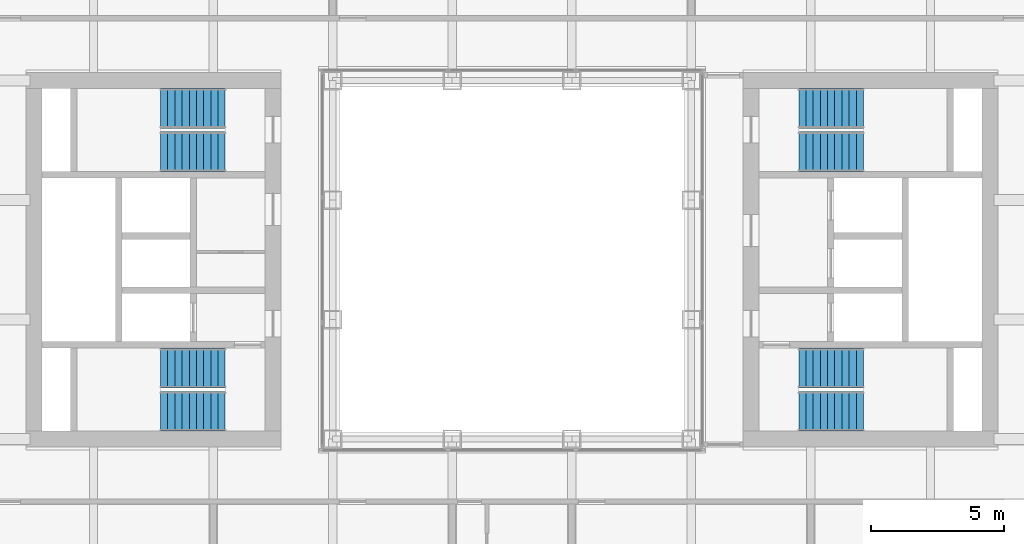
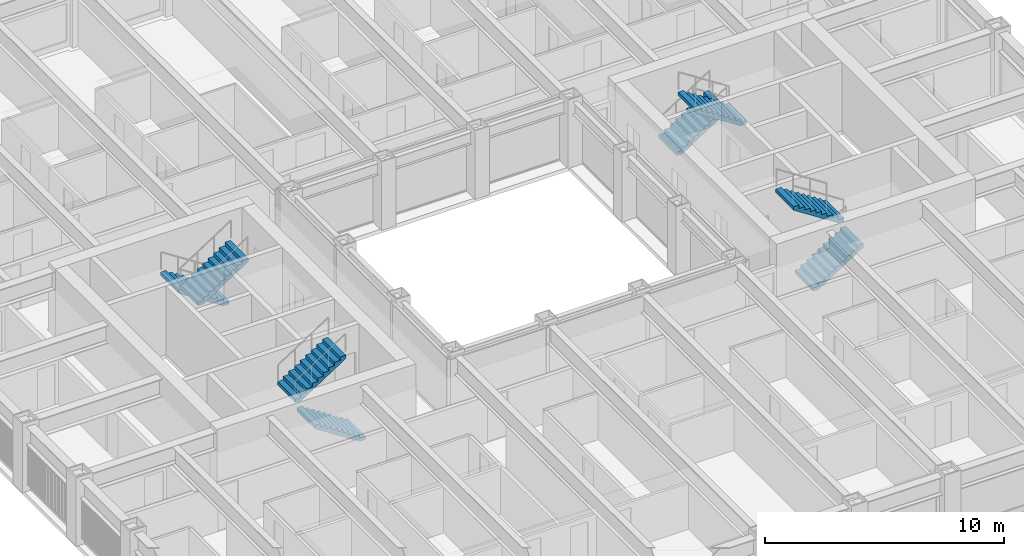
# One storey, part 16 of 21: 8 stair flights, 4 elements without a shape of their own.
"""IFC4 building model written with IfcOpenShell, lengths in metres."""

from ifc_helpers import new_model, si_unit, direction, frame, origin, place, context, subcontext, project, spatial, polyline, outline, extrude, material, type_object, element, aggregate, save


model = new_model("IFC4")

# Units and contexts
model_context = context("Model", 3, precision=1e-05, world=origin(), true_north=direction((0.0, 1.0)))
body_context = subcontext(model_context, "Body", "Model", "MODEL_VIEW")
ifc_project = project(units=[si_unit("LENGTHUNIT", "METRE"), si_unit("AREAUNIT", "SQUARE_METRE"), si_unit("VOLUMEUNIT", "CUBIC_METRE"), si_unit("PLANEANGLEUNIT", "RADIAN"), si_unit("MASSUNIT", "GRAM", prefix="KILO")], contexts=[model_context])

# Site, building, storey
site_placement = place(None, origin())
site = spatial("IfcSite", under=ifc_project, at=site_placement, CompositionType="ELEMENT")
building_placement = place(site_placement, origin())
building = spatial("IfcBuilding", under=site, at=building_placement, Name="Msasa Ring Tower", CompositionType="ELEMENT")
storey_placement = place(building_placement, frame((0.0, 0.0, 72.0)))
storey = spatial("IfcBuildingStorey", under=building, at=storey_placement, Name="L18", CompositionType="ELEMENT", Elevation=72.0)

# Stair, stair flights
ifc_material_1 = material(Name="Concrete C40/50", Category="concrete")
stair_type = type_object("IfcStairType", Name="STC CORE STAIR 20 RISERS 175", PredefinedType="HALF_TURN_STAIR", material=ifc_material_1)
stair_1_placement = place(storey_placement, origin())
stair_1 = element("IfcStair", 1, at=stair_1_placement, inside=storey, type_object=stair_type, Name="Core stair SEA L18", PredefinedType="HALF_TURN_STAIR")
ifc_material_2 = material(Name="Concrete C40/50", Category="concrete")
stair_flight_type = type_object("IfcStairFlightType", Name="ST12 CORE STAIR FLIGHT 1500 10 RISERS 175", PredefinedType="STRAIGHT", material=ifc_material_2)
stair_flight_1_placement = place(storey_placement, frame((10.800048828125, -5.699951171875, 0.0), z_axis=(0.0, 0.0, 1.0), x_axis=(1.0, 0.0, 0.0)))
stair_flight_1 = element("IfcStairFlight", 2, at=stair_flight_1_placement, type_object=stair_flight_type, Name="SEA flight 1", NumberOfRisers=10, NumberOfTreads=9, PredefinedType="STRAIGHT", RiserHeight=0.175, TreadLength=0.27, context=body_context, shape_type="SweptSolid", body=[
    extrude(outline(polyline([(0.0, 0.0), (0.0, 0.175048828125), (0.27001953125, 0.175048828125), (0.27001953125, 0.35009765625), (0.5400390625, 0.35009765625), (0.5400390625, 0.52490234375), (0.81005859375, 0.52490234375), (0.81005859375, 0.699951171875), (1.080078125, 0.699951171875), (1.080078125, 0.875), (1.35009765625, 0.875), (1.35009765625, 1.050048828125), (1.6201171875, 1.050048828125), (1.6201171875, 1.22509765625), (1.889892578125, 1.22509765625), (1.889892578125, 1.39990234375), (2.159912109375, 1.39990234375), (2.159912109375, 1.574951171875), (2.429931640625, 1.574951171875), (2.429931640625, 1.75), (2.429931640625, 1.396484375), (0.275634765625, 0.0), (0.0, 0.0)])), frame((0.0, 0.75, 0.0), z_axis=(0.0, -1.0, 0.0), x_axis=(1.0, 0.0, 0.0)), (0.0, 0.0, 1.0), 1.5),
])
stair_flight_2_placement = place(storey_placement, frame((13.22998046875, -4.074951171875, 1.75), z_axis=(0.0, 0.0, 1.0), x_axis=(-1.0, 0.0, 0.0)))
stair_flight_2 = element("IfcStairFlight", 3, at=stair_flight_2_placement, type_object=stair_flight_type, Name="SEA flight 2", NumberOfRisers=10, NumberOfTreads=9, PredefinedType="STRAIGHT", RiserHeight=0.175, TreadLength=0.27, context=body_context, shape_type="SweptSolid", body=[
    extrude(outline(polyline([(0.0, 0.0), (0.0, 0.175048828125), (0.27001953125, 0.175048828125), (0.27001953125, 0.35009765625), (0.5400390625, 0.35009765625), (0.5400390625, 0.52490234375), (0.81005859375, 0.52490234375), (0.81005859375, 0.699951171875), (1.080078125, 0.699951171875), (1.080078125, 0.875), (1.35009765625, 0.875), (1.35009765625, 1.050048828125), (1.6201171875, 1.050048828125), (1.6201171875, 1.22509765625), (1.889892578125, 1.22509765625), (1.889892578125, 1.39990234375), (2.159912109375, 1.39990234375), (2.159912109375, 1.574951171875), (2.429931640625, 1.574951171875), (2.429931640625, 1.75), (2.429931640625, 1.396484375), (0.275634765625, 0.0), (0.0, 0.0)])), frame((0.0, 0.75, 0.0), z_axis=(0.0, -1.0, 0.0), x_axis=(1.0, 0.0, 0.0)), (0.0, 0.0, 1.0), 1.5),
])
aggregate(stair_1, [stair_flight_1, stair_flight_2])

stair_2_placement = place(storey_placement, origin())
stair_2 = element("IfcStair", 4, at=stair_2_placement, inside=storey, type_object=stair_type, Name="Core stair SEB L18", PredefinedType="HALF_TURN_STAIR")
stair_flight_3_placement = place(storey_placement, frame((10.800048828125, 5.699951171875, 0.0), z_axis=(0.0, 0.0, 1.0), x_axis=(1.0, 0.0, 0.0)))
stair_flight_3 = element("IfcStairFlight", 5, at=stair_flight_3_placement, type_object=stair_flight_type, Name="SEB flight 1", NumberOfRisers=10, NumberOfTreads=9, PredefinedType="STRAIGHT", RiserHeight=0.175, TreadLength=0.27, context=body_context, shape_type="SweptSolid", body=[
    extrude(outline(polyline([(0.0, 0.0), (0.0, 0.175048828125), (0.27001953125, 0.175048828125), (0.27001953125, 0.35009765625), (0.5400390625, 0.35009765625), (0.5400390625, 0.52490234375), (0.81005859375, 0.52490234375), (0.81005859375, 0.699951171875), (1.080078125, 0.699951171875), (1.080078125, 0.875), (1.35009765625, 0.875), (1.35009765625, 1.050048828125), (1.6201171875, 1.050048828125), (1.6201171875, 1.22509765625), (1.889892578125, 1.22509765625), (1.889892578125, 1.39990234375), (2.159912109375, 1.39990234375), (2.159912109375, 1.574951171875), (2.429931640625, 1.574951171875), (2.429931640625, 1.75), (2.429931640625, 1.396484375), (0.275634765625, 0.0), (0.0, 0.0)])), frame((0.0, 0.75, 0.0), z_axis=(0.0, -1.0, 0.0), x_axis=(1.0, 0.0, 0.0)), (0.0, 0.0, 1.0), 1.5),
])
stair_flight_4_placement = place(storey_placement, frame((13.22998046875, 4.074951171875, 1.75), z_axis=(0.0, 0.0, 1.0), x_axis=(-1.0, 0.0, 0.0)))
stair_flight_4 = element("IfcStairFlight", 6, at=stair_flight_4_placement, type_object=stair_flight_type, Name="SEB flight 2", NumberOfRisers=10, NumberOfTreads=9, PredefinedType="STRAIGHT", RiserHeight=0.175, TreadLength=0.27, context=body_context, shape_type="SweptSolid", body=[
    extrude(outline(polyline([(0.0, 0.0), (0.0, 0.175048828125), (0.27001953125, 0.175048828125), (0.27001953125, 0.35009765625), (0.5400390625, 0.35009765625), (0.5400390625, 0.52490234375), (0.81005859375, 0.52490234375), (0.81005859375, 0.699951171875), (1.080078125, 0.699951171875), (1.080078125, 0.875), (1.35009765625, 0.875), (1.35009765625, 1.050048828125), (1.6201171875, 1.050048828125), (1.6201171875, 1.22509765625), (1.889892578125, 1.22509765625), (1.889892578125, 1.39990234375), (2.159912109375, 1.39990234375), (2.159912109375, 1.574951171875), (2.429931640625, 1.574951171875), (2.429931640625, 1.75), (2.429931640625, 1.396484375), (0.275634765625, 0.0), (0.0, 0.0)])), frame((0.0, 0.75, 0.0), z_axis=(0.0, -1.0, 0.0), x_axis=(1.0, 0.0, 0.0)), (0.0, 0.0, 1.0), 1.5),
])
aggregate(stair_2, [stair_flight_3, stair_flight_4])

stair_3_placement = place(storey_placement, origin())
stair_3 = element("IfcStair", 7, at=stair_3_placement, inside=storey, type_object=stair_type, Name="Core stair SWA L18", PredefinedType="HALF_TURN_STAIR")
stair_flight_5_placement = place(storey_placement, frame((-10.800048828125, -5.699951171875, 0.0), z_axis=(0.0, 0.0, 1.0), x_axis=(-1.0, 0.0, 0.0)))
stair_flight_5 = element("IfcStairFlight", 8, at=stair_flight_5_placement, type_object=stair_flight_type, Name="SWA flight 1", NumberOfRisers=10, NumberOfTreads=9, PredefinedType="STRAIGHT", RiserHeight=0.175, TreadLength=0.27, context=body_context, shape_type="SweptSolid", body=[
    extrude(outline(polyline([(0.0, 0.0), (0.0, 0.175048828125), (0.27001953125, 0.175048828125), (0.27001953125, 0.35009765625), (0.5400390625, 0.35009765625), (0.5400390625, 0.52490234375), (0.81005859375, 0.52490234375), (0.81005859375, 0.699951171875), (1.080078125, 0.699951171875), (1.080078125, 0.875), (1.35009765625, 0.875), (1.35009765625, 1.050048828125), (1.6201171875, 1.050048828125), (1.6201171875, 1.22509765625), (1.889892578125, 1.22509765625), (1.889892578125, 1.39990234375), (2.159912109375, 1.39990234375), (2.159912109375, 1.574951171875), (2.429931640625, 1.574951171875), (2.429931640625, 1.75), (2.429931640625, 1.396484375), (0.275634765625, 0.0), (0.0, 0.0)])), frame((0.0, 0.75, 0.0), z_axis=(0.0, -1.0, 0.0), x_axis=(1.0, 0.0, 0.0)), (0.0, 0.0, 1.0), 1.5),
])
stair_flight_6_placement = place(storey_placement, frame((-13.22998046875, -4.074951171875, 1.75), z_axis=(0.0, 0.0, 1.0), x_axis=(1.0, 0.0, 0.0)))
stair_flight_6 = element("IfcStairFlight", 9, at=stair_flight_6_placement, type_object=stair_flight_type, Name="SWA flight 2", NumberOfRisers=10, NumberOfTreads=9, PredefinedType="STRAIGHT", RiserHeight=0.175, TreadLength=0.27, context=body_context, shape_type="SweptSolid", body=[
    extrude(outline(polyline([(0.0, 0.0), (0.0, 0.175048828125), (0.27001953125, 0.175048828125), (0.27001953125, 0.35009765625), (0.5400390625, 0.35009765625), (0.5400390625, 0.52490234375), (0.81005859375, 0.52490234375), (0.81005859375, 0.699951171875), (1.080078125, 0.699951171875), (1.080078125, 0.875), (1.35009765625, 0.875), (1.35009765625, 1.050048828125), (1.6201171875, 1.050048828125), (1.6201171875, 1.22509765625), (1.889892578125, 1.22509765625), (1.889892578125, 1.39990234375), (2.159912109375, 1.39990234375), (2.159912109375, 1.574951171875), (2.429931640625, 1.574951171875), (2.429931640625, 1.75), (2.429931640625, 1.396484375), (0.275634765625, 0.0), (0.0, 0.0)])), frame((0.0, 0.75, 0.0), z_axis=(0.0, -1.0, 0.0), x_axis=(1.0, 0.0, 0.0)), (0.0, 0.0, 1.0), 1.5),
])
aggregate(stair_3, [stair_flight_5, stair_flight_6])

stair_4_placement = place(storey_placement, origin())
stair_4 = element("IfcStair", 10, at=stair_4_placement, inside=storey, type_object=stair_type, Name="Core stair SWB L18", PredefinedType="HALF_TURN_STAIR")
stair_flight_7_placement = place(storey_placement, frame((-10.800048828125, 5.699951171875, 0.0), z_axis=(0.0, 0.0, 1.0), x_axis=(-1.0, 0.0, 0.0)))
stair_flight_7 = element("IfcStairFlight", 11, at=stair_flight_7_placement, type_object=stair_flight_type, Name="SWB flight 1", NumberOfRisers=10, NumberOfTreads=9, PredefinedType="STRAIGHT", RiserHeight=0.175, TreadLength=0.27, context=body_context, shape_type="SweptSolid", body=[
    extrude(outline(polyline([(0.0, 0.0), (0.0, 0.175048828125), (0.27001953125, 0.175048828125), (0.27001953125, 0.35009765625), (0.5400390625, 0.35009765625), (0.5400390625, 0.52490234375), (0.81005859375, 0.52490234375), (0.81005859375, 0.699951171875), (1.080078125, 0.699951171875), (1.080078125, 0.875), (1.35009765625, 0.875), (1.35009765625, 1.050048828125), (1.6201171875, 1.050048828125), (1.6201171875, 1.22509765625), (1.889892578125, 1.22509765625), (1.889892578125, 1.39990234375), (2.159912109375, 1.39990234375), (2.159912109375, 1.574951171875), (2.429931640625, 1.574951171875), (2.429931640625, 1.75), (2.429931640625, 1.396484375), (0.275634765625, 0.0), (0.0, 0.0)])), frame((0.0, 0.75, 0.0), z_axis=(0.0, -1.0, 0.0), x_axis=(1.0, 0.0, 0.0)), (0.0, 0.0, 1.0), 1.5),
])
stair_flight_8_placement = place(storey_placement, frame((-13.22998046875, 4.074951171875, 1.75), z_axis=(0.0, 0.0, 1.0), x_axis=(1.0, 0.0, 0.0)))
stair_flight_8 = element("IfcStairFlight", 12, at=stair_flight_8_placement, type_object=stair_flight_type, Name="SWB flight 2", NumberOfRisers=10, NumberOfTreads=9, PredefinedType="STRAIGHT", RiserHeight=0.175, TreadLength=0.27, context=body_context, shape_type="SweptSolid", body=[
    extrude(outline(polyline([(0.0, 0.0), (0.0, 0.175048828125), (0.27001953125, 0.175048828125), (0.27001953125, 0.35009765625), (0.5400390625, 0.35009765625), (0.5400390625, 0.52490234375), (0.81005859375, 0.52490234375), (0.81005859375, 0.699951171875), (1.080078125, 0.699951171875), (1.080078125, 0.875), (1.35009765625, 0.875), (1.35009765625, 1.050048828125), (1.6201171875, 1.050048828125), (1.6201171875, 1.22509765625), (1.889892578125, 1.22509765625), (1.889892578125, 1.39990234375), (2.159912109375, 1.39990234375), (2.159912109375, 1.574951171875), (2.429931640625, 1.574951171875), (2.429931640625, 1.75), (2.429931640625, 1.396484375), (0.275634765625, 0.0), (0.0, 0.0)])), frame((0.0, 0.75, 0.0), z_axis=(0.0, -1.0, 0.0), x_axis=(1.0, 0.0, 0.0)), (0.0, 0.0, 1.0), 1.5),
])
aggregate(stair_4, [stair_flight_7, stair_flight_8])

save(model, "model.ifc")
